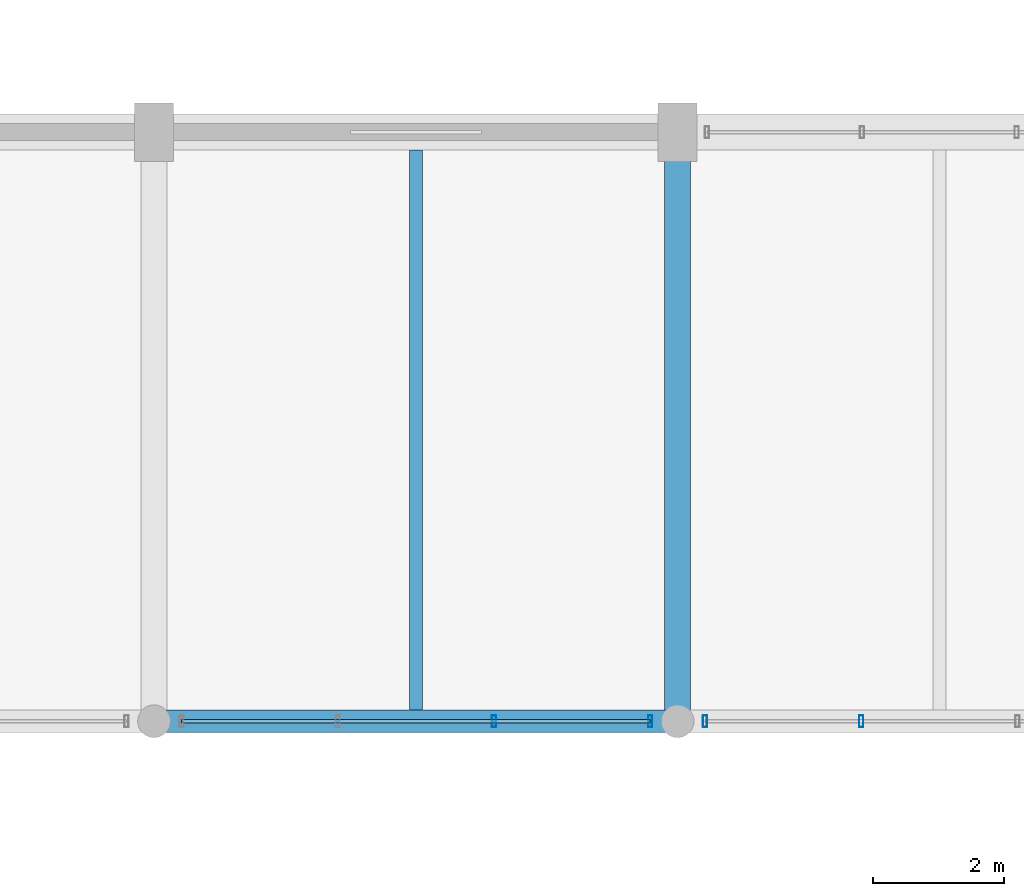
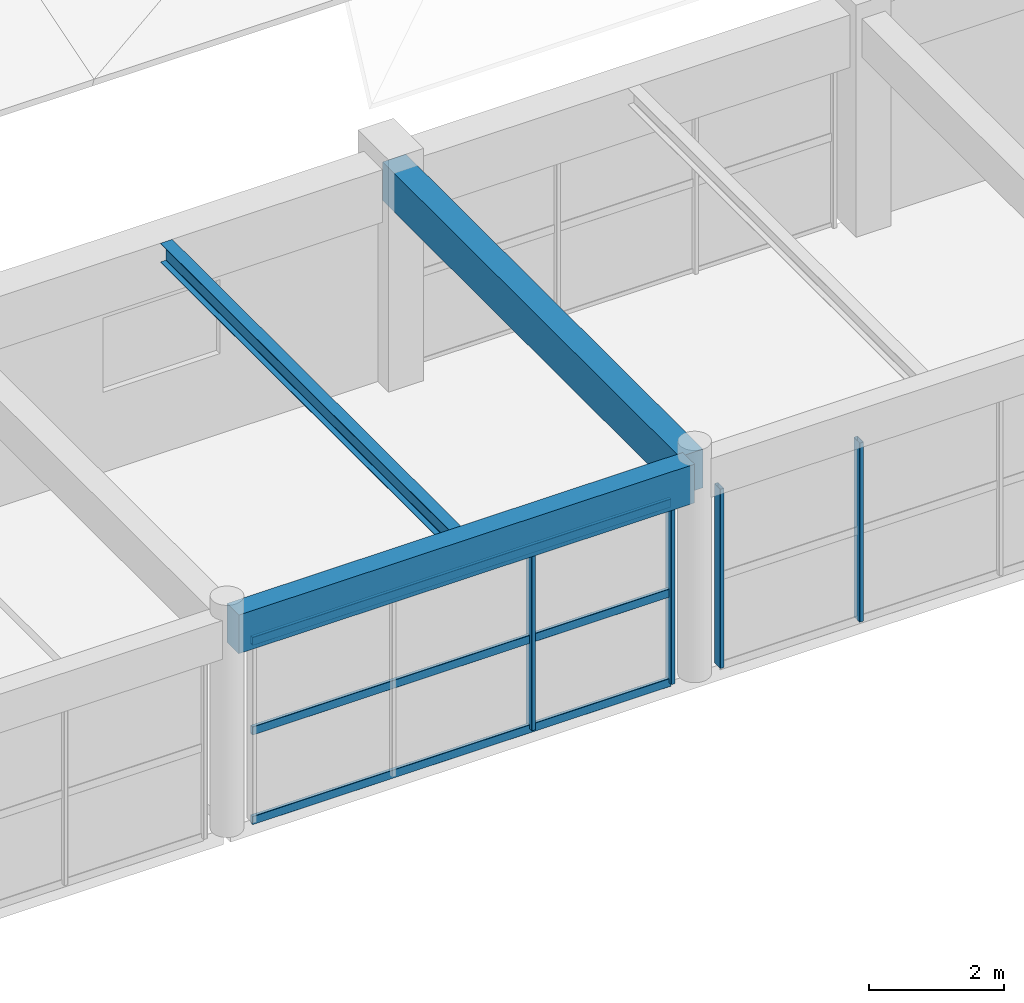
# One storey, part 19 of 63: 7 members, 3 beams, 2 elements without a shape of their own.
"""IFC4 building model written with IfcOpenShell, lengths in metres."""

from ifc_helpers import new_model, si_unit, direction, frame, origin, origin_2d, place, context, subcontext, project, spatial, rectangle, hollow_rectangle, i_section, extrude, material, material_profile, profile_set, type_object, element, aggregate, save


model = new_model("IFC4")

# Units and contexts
model_context = context("Model", 3, precision=1e-05, world=origin(), true_north=direction((0.0, 1.0)))
body_context = subcontext(model_context, "Body", "Model", "MODEL_VIEW")
ifc_project = project(units=[si_unit("LENGTHUNIT", "METRE"), si_unit("AREAUNIT", "SQUARE_METRE"), si_unit("VOLUMEUNIT", "CUBIC_METRE"), si_unit("PLANEANGLEUNIT", "RADIAN"), si_unit("MASSUNIT", "GRAM", prefix="KILO")], contexts=[model_context])

# Site, building, storey
site_placement = place(None, origin())
site = spatial("IfcSite", under=ifc_project, at=site_placement, CompositionType="ELEMENT")
building_placement = place(site_placement, origin())
building = spatial("IfcBuilding", under=site, at=building_placement, Name="Varnabhumi Central Station", CompositionType="ELEMENT")
storey_placement = place(building_placement, frame((0.0, 0.0, 20.39990234375)))
storey = spatial("IfcBuildingStorey", under=building, at=storey_placement, Name="L04", CompositionType="ELEMENT", Elevation=20.39990234375)

# Beams
ifc_material_1 = material(Name="Concrete M40", Category="concrete")
ifc_material_profile_1 = material_profile(ifc_material_1, rectangle(XDim=0.35009765625, YDim=0.699951171875, at=origin_2d()), Name="Concrete M40", Category="concrete")
ifc_profile_set_1 = profile_set([ifc_material_profile_1], Name="Concrete M40")
beam_type_1 = type_object("IfcBeamType", Name="BM-RC-350x700", PredefinedType="BEAM", material=ifc_profile_set_1)
beam_1_placement = place(storey_placement, frame((120.10009765625, 27.0, 3.570068359375), z_axis=(1.0, 0.0, 0.0), x_axis=(0.0, 1.0, 0.0)))
element("IfcBeam", 1, at=beam_1_placement, inside=storey, type_object=beam_type_1, Name="Beam L04-D:16-17", PredefinedType="BEAM", context=body_context, shape_type="SweptSolid", body=[
    extrude(rectangle(XDim=0.35009765625, YDim=0.699951171875, at=origin_2d()), origin(), (0.0, 0.0, 1.0), 7.7998046875),
])
ifc_material_profile_2 = material_profile(ifc_material_1, rectangle(XDim=0.39990234375, YDim=0.699951171875, at=origin_2d()), Name="Concrete M40", Category="concrete")
ifc_profile_set_2 = profile_set([ifc_material_profile_2], Name="Concrete M40")
beam_type_2 = type_object("IfcBeamType", Name="BM-RC-700x400", PredefinedType="BEAM", material=ifc_profile_set_2)
beam_2_placement = place(storey_placement, frame((128.0, 27.10009765625, 3.570068359375), z_axis=(0.0, 1.0, 0.0), x_axis=(-1.0, 0.0, 0.0)))
element("IfcBeam", 2, at=beam_2_placement, inside=storey, type_object=beam_type_2, Name="Beam L04-17:D-E", PredefinedType="BEAM", context=body_context, shape_type="SweptSolid", body=[
    extrude(rectangle(XDim=0.39990234375, YDim=0.699951171875, at=origin_2d()), origin(), (0.0, 0.0, 1.0), 8.7998046875),
])
ifc_material_2 = material(Name="Structural steel E350", Category="steel")
ifc_material_profile_3 = material_profile(ifc_material_2, i_section(OverallWidth=0.199951171875, OverallDepth=0.35009765625, WebThickness=0.008056640625, FlangeThickness=0.011474609375, FilletRadius=0.011962890625, at=origin_2d()), Name="Structural steel E350", Category="steel")
ifc_profile_set_3 = profile_set([ifc_material_profile_3], Name="Structural steel E350")
beam_type_3 = type_object("IfcBeamType", Name="BM-STL-ISWB350", PredefinedType="JOIST", material=ifc_profile_set_3)
beam_3_placement = place(storey_placement, frame((124.0, 27.175048828125, 3.7451171875), z_axis=(0.0, 1.0, 0.0), x_axis=(-1.0, 0.0, 0.0)))
element("IfcBeam", 3, at=beam_3_placement, inside=storey, type_object=beam_type_3, Name="Secondary Joist L04-16/17:D-E", PredefinedType="JOIST", context=body_context, shape_type="SweptSolid", body=[
    extrude(i_section(OverallWidth=0.199951171875, OverallDepth=0.35009765625, WebThickness=0.008056640625, FlangeThickness=0.011474609375, FilletRadius=0.011962890625, at=origin_2d()), origin(), (0.0, 0.0, 1.0), 8.550048828125),
])

# Curtain wall, members
ifc_material_3 = material(Name="Anodised aluminium 6063-T6", Category="aluminium")
curtain_wall_type = type_object("IfcCurtainWallType", Name="CW-PATIO-LOGGIA-L3", PredefinedType="NOTDEFINED", material=ifc_material_3)
curtain_wall_1_placement = place(storey_placement, origin())
curtain_wall_1 = element("IfcCurtainWall", 4, at=curtain_wall_1_placement, inside=storey, type_object=curtain_wall_type, Name="Curtain Wall CW-SP4N2", PredefinedType="NOTDEFINED")
ifc_material_profile_4 = material_profile(ifc_material_3, hollow_rectangle(XDim=0.06494140625, YDim=0.179931640625, WallThickness=0.00390625, InnerFilletRadius=0.001953125, OuterFilletRadius=0.006103515625, at=origin_2d()), Name="Anodised aluminium 6063-T6", Category="aluminium")
ifc_profile_set_4 = profile_set([ifc_material_profile_4], Name="Anodised aluminium 6063-T6")
member_type_1 = type_object("IfcMemberType", Name="CW-MUL-180", PredefinedType="MULLION", material=ifc_profile_set_4)
member_1_placement = place(storey_placement, frame((125.193359375, 27.0, 0.0), z_axis=(0.0, 0.0, 1.0), x_axis=(1.0, 0.0, 0.0)))
member_1 = element("IfcMember", 5, at=member_1_placement, type_object=member_type_1, Name="Curtain Wall Mullion CW-SP4N2-M3", PredefinedType="MULLION", context=body_context, shape_type="SweptSolid", body=[
    extrude(hollow_rectangle(XDim=0.06494140625, YDim=0.179931640625, WallThickness=0.00390625, InnerFilletRadius=0.001953125, OuterFilletRadius=0.006103515625, at=origin_2d()), origin(), (0.0, 0.0, 1.0), 3.239990234375),
])
member_2_placement = place(storey_placement, frame((127.580078125, 27.0, 0.0), z_axis=(0.0, 0.0, 1.0), x_axis=(1.0, 0.0, 0.0)))
member_2 = element("IfcMember", 6, at=member_2_placement, type_object=member_type_1, Name="Curtain Wall Mullion CW-SP4N2-M4", PredefinedType="MULLION", context=body_context, shape_type="SweptSolid", body=[
    extrude(hollow_rectangle(XDim=0.06494140625, YDim=0.179931640625, WallThickness=0.00390625, InnerFilletRadius=0.001953125, OuterFilletRadius=0.006103515625, at=origin_2d()), origin(), (0.0, 0.0, 1.0), 3.239990234375),
])

curtain_wall_2_placement = place(storey_placement, origin())
curtain_wall_2 = element("IfcCurtainWall", 7, at=curtain_wall_2_placement, inside=storey, type_object=curtain_wall_type, Name="Curtain Wall CW-SP4N3", PredefinedType="NOTDEFINED")
member_3_placement = place(storey_placement, frame((128.419921875, 27.0, 0.0), z_axis=(0.0, 0.0, 1.0), x_axis=(1.0, 0.0, 0.0)))
member_3 = element("IfcMember", 8, at=member_3_placement, type_object=member_type_1, Name="Curtain Wall Mullion CW-SP4N3-M1", PredefinedType="MULLION", context=body_context, shape_type="SweptSolid", body=[
    extrude(hollow_rectangle(XDim=0.06494140625, YDim=0.179931640625, WallThickness=0.00390625, InnerFilletRadius=0.001953125, OuterFilletRadius=0.006103515625, at=origin_2d()), origin(), (0.0, 0.0, 1.0), 3.239990234375),
])
member_4_placement = place(storey_placement, frame((130.806640625, 27.0, 0.0), z_axis=(0.0, 0.0, 1.0), x_axis=(1.0, 0.0, 0.0)))
member_4 = element("IfcMember", 9, at=member_4_placement, type_object=member_type_1, Name="Curtain Wall Mullion CW-SP4N3-M2", PredefinedType="MULLION", context=body_context, shape_type="SweptSolid", body=[
    extrude(hollow_rectangle(XDim=0.06494140625, YDim=0.179931640625, WallThickness=0.00390625, InnerFilletRadius=0.001953125, OuterFilletRadius=0.006103515625, at=origin_2d()), origin(), (0.0, 0.0, 1.0), 3.239990234375),
])
aggregate(curtain_wall_2, [member_3, member_4])

# Member
ifc_material_profile_5 = material_profile(ifc_material_3, hollow_rectangle(XDim=0.06005859375, YDim=0.14990234375, WallThickness=0.00390625, InnerFilletRadius=0.001953125, OuterFilletRadius=0.006103515625, at=origin_2d()), Name="Anodised aluminium 6063-T6", Category="aluminium")
ifc_profile_set_5 = profile_set([ifc_material_profile_5], Name="Anodised aluminium 6063-T6")
member_type_2 = type_object("IfcMemberType", Name="CW-TR-150", PredefinedType="USERDEFINED", material=ifc_profile_set_5)
member_5_placement = place(storey_placement, frame((120.419921875, 27.0, 0.0), z_axis=(1.0, 0.0, 0.0), x_axis=(0.0, 1.0, 0.0)))
member_5 = element("IfcMember", 10, at=member_5_placement, type_object=member_type_2, Name="Curtain Wall Transom CW-SP4N2-T1", ObjectType="TRANSOM", PredefinedType="USERDEFINED", context=body_context, shape_type="SweptSolid", body=[
    extrude(hollow_rectangle(XDim=0.06005859375, YDim=0.14990234375, WallThickness=0.00390625, InnerFilletRadius=0.001953125, OuterFilletRadius=0.006103515625, at=origin_2d()), origin(), (0.0, 0.0, 1.0), 7.16015625),
])

member_6_placement = place(storey_placement, frame((120.419921875, 27.0, 1.6201171875), z_axis=(1.0, 0.0, 0.0), x_axis=(0.0, 1.0, 0.0)))
member_6 = element("IfcMember", 11, at=member_6_placement, type_object=member_type_2, Name="Curtain Wall Transom CW-SP4N2-T2", ObjectType="TRANSOM", PredefinedType="USERDEFINED", context=body_context, shape_type="SweptSolid", body=[
    extrude(hollow_rectangle(XDim=0.06005859375, YDim=0.14990234375, WallThickness=0.00390625, InnerFilletRadius=0.001953125, OuterFilletRadius=0.006103515625, at=origin_2d()), origin(), (0.0, 0.0, 1.0), 7.16015625),
])

member_7_placement = place(storey_placement, frame((120.419921875, 27.0, 3.239990234375), z_axis=(1.0, 0.0, 0.0), x_axis=(0.0, 1.0, 0.0)))
member_7 = element("IfcMember", 12, at=member_7_placement, type_object=member_type_2, Name="Curtain Wall Transom CW-SP4N2-T3", ObjectType="TRANSOM", PredefinedType="USERDEFINED", context=body_context, shape_type="SweptSolid", body=[
    extrude(hollow_rectangle(XDim=0.06005859375, YDim=0.14990234375, WallThickness=0.00390625, InnerFilletRadius=0.001953125, OuterFilletRadius=0.006103515625, at=origin_2d()), origin(), (0.0, 0.0, 1.0), 7.16015625),
])

aggregate(curtain_wall_1, [member_1, member_2, member_5, member_6, member_7])

save(model, "model.ifc")
